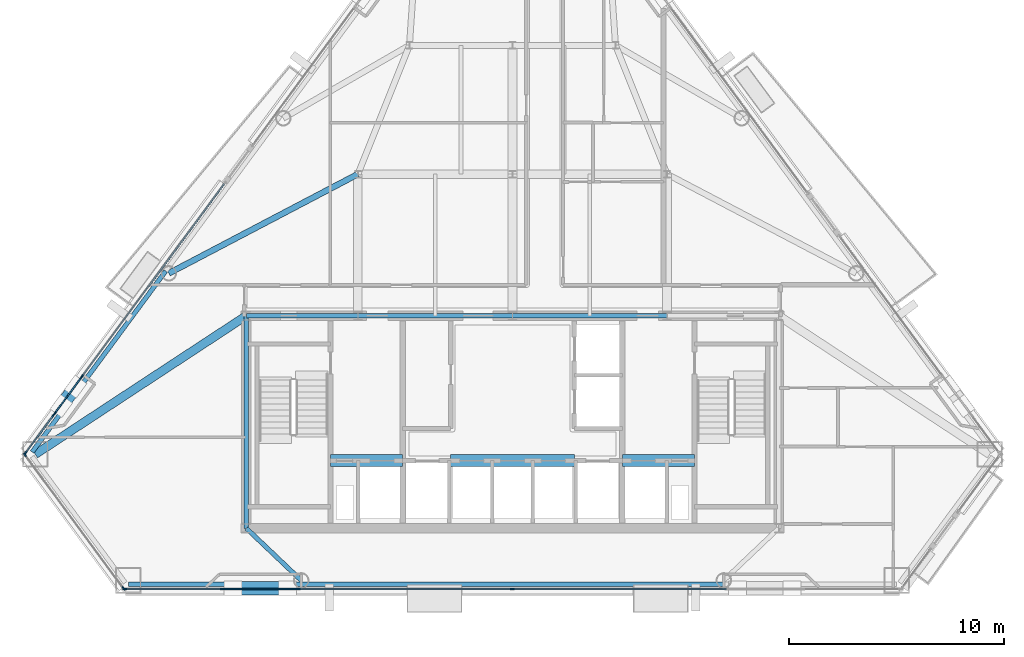
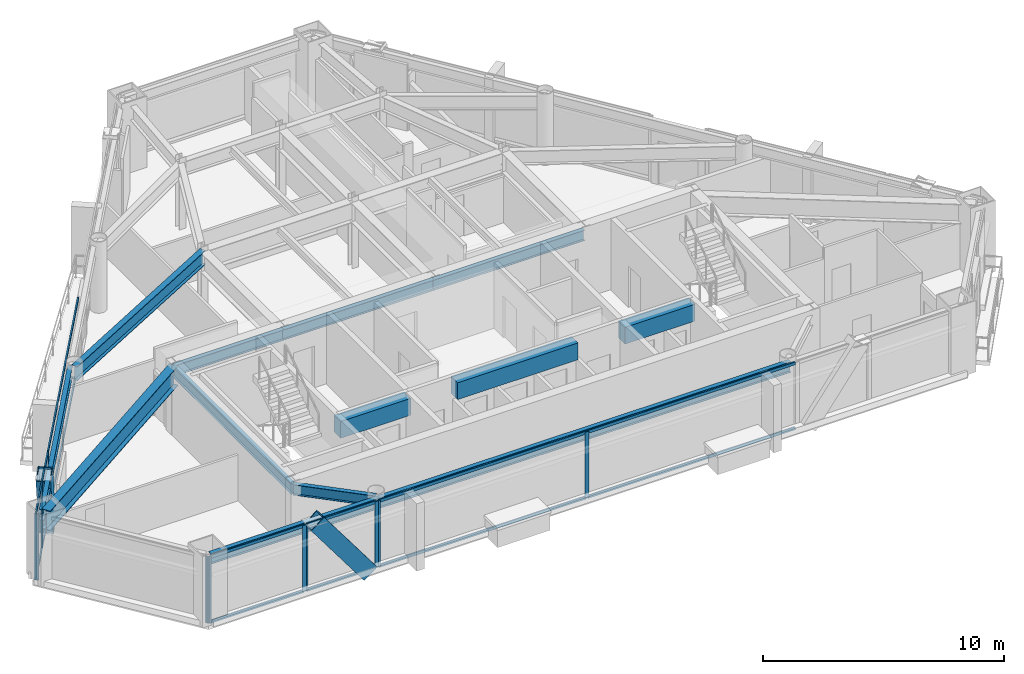
# One storey, part 3 of 11: 29 members, 13 beams, 7 elements without a shape of their own.
"""IFC4 building model written with IfcOpenShell, lengths in metres."""

from ifc_helpers import new_model, si_unit, direction, frame, origin, origin_2d, place, context, subcontext, project, spatial, rectangle, hollow_rectangle, i_section, extrude, material, layer, layer_set, material_profile, profile_set, type_object, element, aggregate, save


model = new_model("IFC4")

# Units and contexts
model_context = context("Model", 3, precision=1e-05, world=origin(), true_north=direction((0.0, 1.0)))
body_context = subcontext(model_context, "Body", "Model", "MODEL_VIEW")
ifc_project = project(units=[si_unit("LENGTHUNIT", "METRE"), si_unit("AREAUNIT", "SQUARE_METRE"), si_unit("VOLUMEUNIT", "CUBIC_METRE"), si_unit("PLANEANGLEUNIT", "RADIAN"), si_unit("MASSUNIT", "GRAM", prefix="KILO")], contexts=[model_context])

# Site, building, storey
site_placement = place(None, origin())
site = spatial("IfcSite", under=ifc_project, at=site_placement, CompositionType="ELEMENT")
building_placement = place(site_placement, origin())
building = spatial("IfcBuilding", under=site, at=building_placement, Name="Talgorran Terracotta Tower", CompositionType="ELEMENT")
storey_placement = place(building_placement, frame((0.0, 0.0, 161.699951171875)))
storey = spatial("IfcBuildingStorey", under=building, at=storey_placement, Name="L42", CompositionType="ELEMENT", Elevation=161.699951171875)

# Beams
ifc_material_1 = material(Name="Steel Grade 350 (350L0)", Category="steel")
ifc_material_profile_1 = material_profile(ifc_material_1, i_section(OverallWidth=0.39990234375, OverallDepth=1.0, WebThickness=0.01611328125, FlangeThickness=0.031005859375, at=origin_2d()), Name="1000WB296")
ifc_profile_set_1 = profile_set([ifc_material_profile_1], Name="Steel Grade 350 (350L0)")
beam_type_1 = type_object("IfcBeamType", Name="BM_1000WB296", PredefinedType="BEAM", material=ifc_profile_set_1)
beam_1_placement = place(storey_placement, frame((-12.39990234375, -4.199951171875, 2.85009765625), z_axis=(-0.836013696093, -0.548708574696, 0.0), x_axis=(0.548708574696, -0.836013696093, 0.0)))
element("IfcBeam", 1, at=beam_1_placement, inside=storey, type_object=beam_type_1, Name="L42 Floor Girder G17", PredefinedType="BEAM", context=body_context, shape_type="SweptSolid", body=[
    extrude(i_section(OverallWidth=0.39990234375, OverallDepth=1.0, WebThickness=0.01611328125, FlangeThickness=0.031005859375, at=origin_2d()), origin(), (0.0, 0.0, 1.0), 11.76318359375),
])
ifc_material_2 = material(Name="Steel S355 (300PLUS)", Category="steel")
ifc_material_profile_2 = material_profile(ifc_material_2, i_section(OverallWidth=0.27490234375, OverallDepth=0.7080078125, WebThickness=0.011962890625, FlangeThickness=0.02490234375, at=origin_2d()), Name="700WB173")
ifc_profile_set_2 = profile_set([ifc_material_profile_2], Name="Steel S355 (300PLUS)")
beam_type_2 = type_object("IfcBeamType", Name="BM_700WB173", PredefinedType="BEAM", material=ifc_profile_set_2)
beam_2_placement = place(storey_placement, frame((-7.199951171875, 2.39990234375, 2.99609375), z_axis=(-0.885527866822, -0.464586264414, 0.0), x_axis=(0.464586264414, -0.885527866822, 0.0)))
element("IfcBeam", 2, at=beam_2_placement, inside=storey, type_object=beam_type_2, Name="L42 Floor Girder G06", PredefinedType="BEAM", context=body_context, shape_type="SweptSolid", body=[
    extrude(i_section(OverallWidth=0.27490234375, OverallDepth=0.7080078125, WebThickness=0.011962890625, FlangeThickness=0.02490234375, at=origin_2d()), origin(), (0.0, 0.0, 1.0), 9.951416015625),
])
ifc_material_3 = material(Name="Concrete C50/60", Category="concrete")
ifc_material_profile_3 = material_profile(ifc_material_3, rectangle(XDim=0.550048828125, YDim=0.85009765625, at=origin_2d()), Name="RCCB550X850")
ifc_profile_set_3 = profile_set([ifc_material_profile_3], Name="Concrete C50/60")
beam_type_3 = type_object("IfcBeamType", Name="BM_CB_550X850", PredefinedType="LINTEL", material=ifc_profile_set_3)
beam_3_placement = place(storey_placement, frame((-8.47998046875, -10.949951171875, 2.925048828125), z_axis=(1.0, 0.0, 0.0), x_axis=(0.0, 1.0, 0.0)))
element("IfcBeam", 3, at=beam_3_placement, inside=storey, type_object=beam_type_3, Name="L42 Core Shear-Wall Coupling Beam CB1", PredefinedType="LINTEL", context=body_context, shape_type="SweptSolid", body=[
    extrude(rectangle(XDim=0.550048828125, YDim=0.85009765625, at=origin_2d()), origin(), (0.0, 0.0, 1.0), 3.35986328125),
])
beam_4_placement = place(storey_placement, frame((-2.8798828125, -10.949951171875, 2.925048828125), z_axis=(1.0, 0.0, 0.0), x_axis=(0.0, 1.0, 0.0)))
element("IfcBeam", 4, at=beam_4_placement, inside=storey, type_object=beam_type_3, Name="L42 Core Shear-Wall Coupling Beam CB2", PredefinedType="LINTEL", context=body_context, shape_type="SweptSolid", body=[
    extrude(rectangle(XDim=0.550048828125, YDim=0.85009765625, at=origin_2d()), origin(), (0.0, 0.0, 1.0), 5.759765625),
])
beam_5_placement = place(storey_placement, frame((5.1201171875, -10.949951171875, 2.925048828125), z_axis=(1.0, 0.0, 0.0), x_axis=(0.0, 1.0, 0.0)))
element("IfcBeam", 5, at=beam_5_placement, inside=storey, type_object=beam_type_3, Name="L42 Core Shear-Wall Coupling Beam CB3", PredefinedType="LINTEL", context=body_context, shape_type="SweptSolid", body=[
    extrude(rectangle(XDim=0.550048828125, YDim=0.85009765625, at=origin_2d()), origin(), (0.0, 0.0, 1.0), 3.35986328125),
])
ifc_material_profile_4 = material_profile(ifc_material_2, i_section(OverallWidth=0.209228515625, OverallDepth=0.532958984375, WebThickness=0.01025390625, FlangeThickness=0.015625, at=origin_2d()), Name="530UB92.4")
ifc_profile_set_4 = profile_set([ifc_material_profile_4], Name="Steel S355 (300PLUS)")
beam_type_4 = type_object("IfcBeamType", Name="BM_SP_530UB92", PredefinedType="SPANDREL", material=ifc_profile_set_4)
beam_6_placement = place(storey_placement, frame((-17.898193359375, -16.7099609375, 3.08349609375), z_axis=(1.0, 0.0, 0.0), x_axis=(0.0, 1.0, 0.0)))
element("IfcBeam", 6, at=beam_6_placement, inside=storey, type_object=beam_type_4, Name="L42 Perimeter Spandrel Beam MC2-FC1", PredefinedType="SPANDREL", context=body_context, shape_type="SweptSolid", body=[
    extrude(i_section(OverallWidth=0.209228515625, OverallDepth=0.532958984375, WebThickness=0.01025390625, FlangeThickness=0.015625, at=origin_2d()), origin(), (0.0, 0.0, 1.0), 8.05419921875),
])
beam_7_placement = place(storey_placement, frame((-9.843994140625, -16.7099609375, 3.08349609375), z_axis=(1.0, 0.0, 0.0), x_axis=(0.0, 1.0, 0.0)))
element("IfcBeam", 7, at=beam_7_placement, inside=storey, type_object=beam_type_4, Name="L42 Perimeter Spandrel Beam FC1-FC2", PredefinedType="SPANDREL", context=body_context, shape_type="SweptSolid", body=[
    extrude(i_section(OverallWidth=0.209228515625, OverallDepth=0.532958984375, WebThickness=0.01025390625, FlangeThickness=0.015625, at=origin_2d()), origin(), (0.0, 0.0, 1.0), 19.68798828125),
])
beam_8_placement = place(storey_placement, frame((-16.156982421875, -2.116455078125, 3.08349609375), z_axis=(-0.593786218479, -0.804622847516, 0.0), x_axis=(0.804622847516, -0.593786218479, 0.0)))
element("IfcBeam", 8, at=beam_8_placement, inside=storey, type_object=beam_type_4, Name="L42 Perimeter Spandrel Beam FC6-MC1", PredefinedType="SPANDREL", context=body_context, shape_type="SweptSolid", body=[
    extrude(i_section(OverallWidth=0.209228515625, OverallDepth=0.532958984375, WebThickness=0.01025390625, FlangeThickness=0.015625, at=origin_2d()), origin(), (0.0, 0.0, 1.0), 10.478271484375),
])
beam_9_placement = place(storey_placement, frame((-9.843994140625, -16.530029296875, 3.08349609375), z_axis=(-0.724741849636, 0.689020501426, 0.0), x_axis=(-0.689020501426, -0.724741849636, 0.0)))
element("IfcBeam", 9, at=beam_9_placement, inside=storey, type_object=beam_type_4, Name="L42 South-West Core Tie Beam", PredefinedType="SPANDREL", context=body_context, shape_type="SweptSolid", body=[
    extrude(i_section(OverallWidth=0.209228515625, OverallDepth=0.532958984375, WebThickness=0.01025390625, FlangeThickness=0.015625, at=origin_2d()), origin(), (0.0, 0.0, 1.0), 3.526611328125),
])
beam_10_placement = place(storey_placement, frame((-12.39990234375, -14.10009765625, 3.08349609375), z_axis=(0.0, 1.0, 0.0), x_axis=(-1.0, 0.0, 0.0)))
element("IfcBeam", 10, at=beam_10_placement, inside=storey, type_object=beam_type_4, Name="L42 Core Frame Beam CFW", PredefinedType="SPANDREL", context=body_context, shape_type="SweptSolid", body=[
    extrude(i_section(OverallWidth=0.209228515625, OverallDepth=0.532958984375, WebThickness=0.01025390625, FlangeThickness=0.015625, at=origin_2d()), origin(), (0.0, 0.0, 1.0), 9.900146484375),
])
beam_11_placement = place(storey_placement, frame((-12.39990234375, -4.199951171875, 3.08349609375), z_axis=(1.0, 0.0, 0.0), x_axis=(0.0, 1.0, 0.0)))
element("IfcBeam", 11, at=beam_11_placement, inside=storey, type_object=beam_type_4, Name="L42 Core Frame Beam CFN1", PredefinedType="SPANDREL", context=body_context, shape_type="SweptSolid", body=[
    extrude(i_section(OverallWidth=0.209228515625, OverallDepth=0.532958984375, WebThickness=0.01025390625, FlangeThickness=0.015625, at=origin_2d()), origin(), (0.0, 0.0, 1.0), 5.199951171875),
])
for number, where, z_axis, x_axis, name in (
    (12, (-7.199951171875, -4.199951171875, 3.08349609375), (1.0, 0.0, 0.0), (0.0, 1.0, 0.0), "L42 Core Frame Beam CFN2"),
    (13, (0.0, -4.199951171875, 3.08349609375), (1.0, 0.0, 0.0), (0.0, 1.0, 0.0), "L42 Core Frame Beam CFN3"),
):
    element("IfcBeam", number, at=place(storey_placement, frame(where, z_axis=z_axis, x_axis=x_axis)), inside=storey, type_object=beam_type_4, Name=name, PredefinedType="SPANDREL", context=body_context, shape_type="SweptSolid", body=[
        extrude(i_section(OverallWidth=0.209228515625, OverallDepth=0.532958984375, WebThickness=0.01025390625, FlangeThickness=0.015625, at=origin_2d()), origin(), (0.0, 0.0, 1.0), 7.199951171875),
    ])

# Members
ifc_material_profile_5 = material_profile(ifc_material_1, hollow_rectangle(XDim=0.6201171875, YDim=0.780029296875, WallThickness=0.0419921875, at=origin_2d()), Name="WBOX780X620X42")
ifc_profile_set_5 = profile_set([ifc_material_profile_5], Name="Steel Grade 350 (350L0)")
member_type_1 = type_object("IfcMemberType", Name="MB_MEGA_780", PredefinedType="BRACE", material=ifc_profile_set_5)
member_1_placement = place(storey_placement, frame((-10.486328125, -16.889892578125, -0.02490234375), z_axis=(-0.597176273235, 0.0, 0.802110029039), x_axis=(0.0, -1.0, 0.0)))
element("IfcMember", 14, at=member_1_placement, inside=storey, type_object=member_type_1, Name="L42 Exterior Face Mega-Brace MB-2 (SWF)", PredefinedType="BRACE", context=body_context, shape_type="SweptSolid", body=[
    extrude(hollow_rectangle(XDim=0.6201171875, YDim=0.780029296875, WallThickness=0.0419921875, at=origin_2d()), origin(), (0.0, 0.0, 1.0), 4.23876953125),
])
member_2_placement = place(storey_placement, frame((-20.35400390625, -7.500732421875, -0.02490234375), z_axis=(-0.186398629724, -0.252599459812, 0.949446714534), x_axis=(0.80464078172, -0.59376191558, 0.0)))
element("IfcMember", 15, at=member_2_placement, inside=storey, type_object=member_type_1, Name="L42 Exterior Face Mega-Brace MB-2 (NWL)", PredefinedType="BRACE", context=body_context, shape_type="SweptSolid", body=[
    extrude(hollow_rectangle(XDim=0.6201171875, YDim=0.780029296875, WallThickness=0.0419921875, at=origin_2d()), origin(), (0.0, 0.0, 1.0), 3.580810546875),
])

# Curtain wall, members
ifc_material_4 = material(Name="Unitised Low-E Double Glazing", Category="glass")
ifc_layer = layer(ifc_material_4, 0.199951171875, Name="CW_SYS2_RES_LOW")
ifc_layer_set = layer_set([ifc_layer], Name="Unitised Low-E Double Glazing")
curtain_wall_type = type_object("IfcCurtainWallType", Name="CW_SYS2_RES_LOW", PredefinedType="NOTDEFINED", material=ifc_layer_set)
curtain_wall_1_placement = place(storey_placement, origin())
curtain_wall_1 = element("IfcCurtainWall", 16, at=curtain_wall_1_placement, inside=storey, type_object=curtain_wall_type, Name="CW-L42-F0", PredefinedType="NOTDEFINED")
ifc_material_5 = material(Name="Architectural Aluminium 6063-T6", Category="aluminium")
ifc_material_profile_6 = material_profile(ifc_material_5, rectangle(XDim=0.06494140625, YDim=0.18505859375, at=origin_2d()), Name="CWM65X185")
ifc_profile_set_6 = profile_set([ifc_material_profile_6], Name="Architectural Aluminium 6063-T6")
member_type_2 = type_object("IfcMemberType", Name="MUL_65X185", PredefinedType="MULLION", material=ifc_profile_set_6)
member_3_placement = place(storey_placement, frame((-22.7119140625, -10.6806640625, 0.0), z_axis=(0.0, 0.0, 1.0), x_axis=(0.804619586401, 0.593790637498, 0.0)))
member_3 = element("IfcMember", 17, at=member_3_placement, type_object=member_type_2, Name="CW-L42-0 mullion 1", PredefinedType="MULLION", context=body_context, shape_type="SweptSolid", body=[
    extrude(rectangle(XDim=0.06494140625, YDim=0.18505859375, at=origin_2d()), origin(), (0.0, 0.0, 1.0), 3.35009765625),
])
member_4_placement = place(storey_placement, frame((-18.119384765625, -16.90380859375, 0.0), z_axis=(0.0, 0.0, 1.0), x_axis=(0.804619586401, 0.593790637498, 0.0)))
member_4 = element("IfcMember", 18, at=member_4_placement, type_object=member_type_2, Name="CW-L42-0 mullion 2", PredefinedType="MULLION", context=body_context, shape_type="SweptSolid", body=[
    extrude(rectangle(XDim=0.06494140625, YDim=0.18505859375, at=origin_2d()), origin(), (0.0, 0.0, 1.0), 3.35009765625),
])
aggregate(curtain_wall_1, [member_3, member_4])

curtain_wall_2_placement = place(storey_placement, origin())
curtain_wall_2 = element("IfcCurtainWall", 19, at=curtain_wall_2_placement, inside=storey, type_object=curtain_wall_type, Name="CW-L42-F1", PredefinedType="NOTDEFINED")
member_5_placement = place(storey_placement, frame((-18.067626953125, -16.929931640625, 0.0), z_axis=(0.0, 0.0, 1.0), x_axis=(0.0, 1.0, 0.0)))
member_5 = element("IfcMember", 20, at=member_5_placement, type_object=member_type_2, Name="CW-L42-1 mullion 1", PredefinedType="MULLION", context=body_context, shape_type="SweptSolid", body=[
    extrude(rectangle(XDim=0.06494140625, YDim=0.18505859375, at=origin_2d()), origin(), (0.0, 0.0, 1.0), 3.35009765625),
])
member_6_placement = place(storey_placement, frame((-13.517822265625, -16.929931640625, 0.0), z_axis=(0.0, 0.0, 1.0), x_axis=(0.0, 1.0, 0.0)))
member_6 = element("IfcMember", 21, at=member_6_placement, type_object=member_type_2, Name="CW-L42-1 mullion 2", PredefinedType="MULLION", context=body_context, shape_type="SweptSolid", body=[
    extrude(rectangle(XDim=0.06494140625, YDim=0.18505859375, at=origin_2d()), origin(), (0.0, 0.0, 1.0), 3.35009765625),
])

curtain_wall_3_placement = place(storey_placement, origin())
curtain_wall_3 = element("IfcCurtainWall", 22, at=curtain_wall_3_placement, inside=storey, type_object=curtain_wall_type, Name="CW-L42-F1B", PredefinedType="NOTDEFINED")
member_7_placement = place(storey_placement, frame((-13.44287109375, -16.929931640625, 0.0), z_axis=(0.0, 0.0, 1.0), x_axis=(0.0, 1.0, 0.0)))
member_7 = element("IfcMember", 23, at=member_7_placement, type_object=member_type_2, Name="CW-L42-1B mullion 1", PredefinedType="MULLION", context=body_context, shape_type="SweptSolid", body=[
    extrude(rectangle(XDim=0.06494140625, YDim=0.18505859375, at=origin_2d()), origin(), (0.0, 0.0, 1.0), 3.35009765625),
])
member_8_placement = place(storey_placement, frame((-10.06103515625, -16.929931640625, 0.0), z_axis=(0.0, 0.0, 1.0), x_axis=(0.0, 1.0, 0.0)))
member_8 = element("IfcMember", 24, at=member_8_placement, type_object=member_type_2, Name="CW-L42-1B mullion 2", PredefinedType="MULLION", context=body_context, shape_type="SweptSolid", body=[
    extrude(rectangle(XDim=0.06494140625, YDim=0.18505859375, at=origin_2d()), origin(), (0.0, 0.0, 1.0), 3.35009765625),
])

curtain_wall_4_placement = place(storey_placement, origin())
curtain_wall_4 = element("IfcCurtainWall", 25, at=curtain_wall_4_placement, inside=storey, type_object=curtain_wall_type, Name="CW-L42-F1C", PredefinedType="NOTDEFINED")
member_9_placement = place(storey_placement, frame((-9.986083984375, -16.929931640625, 0.0), z_axis=(0.0, 0.0, 1.0), x_axis=(0.0, 1.0, 0.0)))
member_9 = element("IfcMember", 26, at=member_9_placement, type_object=member_type_2, Name="CW-L42-1C mullion 1", PredefinedType="MULLION", context=body_context, shape_type="SweptSolid", body=[
    extrude(rectangle(XDim=0.06494140625, YDim=0.18505859375, at=origin_2d()), origin(), (0.0, 0.0, 1.0), 3.35009765625),
])
member_10_placement = place(storey_placement, frame((0.0, -16.929931640625, 0.0), z_axis=(0.0, 0.0, 1.0), x_axis=(0.0, 1.0, 0.0)))
member_10 = element("IfcMember", 27, at=member_10_placement, type_object=member_type_2, Name="CW-L42-1C mullion 2", PredefinedType="MULLION", context=body_context, shape_type="SweptSolid", body=[
    extrude(rectangle(XDim=0.06494140625, YDim=0.18505859375, at=origin_2d()), origin(), (0.0, 0.0, 1.0), 3.35009765625),
])

# Curtain wall, member
curtain_wall_5_placement = place(storey_placement, origin())
curtain_wall_5 = element("IfcCurtainWall", 28, at=curtain_wall_5_placement, inside=storey, type_object=curtain_wall_type, Name="CW-L42-F61", PredefinedType="NOTDEFINED")
member_11_placement = place(storey_placement, frame((-20.054931640625, -7.028076171875, 0.0), z_axis=(0.0, 0.0, 1.0), x_axis=(0.804624819522, -0.59378354626, 0.0)))
member_11 = element("IfcMember", 29, at=member_11_placement, type_object=member_type_2, Name="CW-L42-61 mullion 2", PredefinedType="MULLION", context=body_context, shape_type="SweptSolid", body=[
    extrude(rectangle(XDim=0.06494140625, YDim=0.18505859375, at=origin_2d()), origin(), (0.0, 0.0, 1.0), 3.35009765625),
])

# Curtain wall, members
curtain_wall_6_placement = place(storey_placement, origin())
curtain_wall_6 = element("IfcCurtainWall", 30, at=curtain_wall_6_placement, inside=storey, type_object=curtain_wall_type, Name="CW-L42-F61B", PredefinedType="NOTDEFINED")
member_12_placement = place(storey_placement, frame((-20.099609375, -7.08837890625, 0.0), z_axis=(0.0, 0.0, 1.0), x_axis=(0.804620536141, -0.593789350545, 0.0)))
member_12 = element("IfcMember", 31, at=member_12_placement, type_object=member_type_2, Name="CW-L42-61B mullion 1", PredefinedType="MULLION", context=body_context, shape_type="SweptSolid", body=[
    extrude(rectangle(XDim=0.06494140625, YDim=0.18505859375, at=origin_2d()), origin(), (0.0, 0.0, 1.0), 3.35009765625),
])
member_13_placement = place(storey_placement, frame((-21.340576171875, -8.77001953125, 0.0), z_axis=(0.0, 0.0, 1.0), x_axis=(0.804620536141, -0.593789350545, 0.0)))
member_13 = element("IfcMember", 32, at=member_13_placement, type_object=member_type_2, Name="CW-L42-61B mullion 2", PredefinedType="MULLION", context=body_context, shape_type="SweptSolid", body=[
    extrude(rectangle(XDim=0.06494140625, YDim=0.18505859375, at=origin_2d()), origin(), (0.0, 0.0, 1.0), 3.35009765625),
])

curtain_wall_7_placement = place(storey_placement, origin())
curtain_wall_7 = element("IfcCurtainWall", 33, at=curtain_wall_7_placement, inside=storey, type_object=curtain_wall_type, Name="CW-L42-F61C", PredefinedType="NOTDEFINED")
member_14_placement = place(storey_placement, frame((-21.385009765625, -8.830322265625, 0.0), z_axis=(0.0, 0.0, 1.0), x_axis=(0.804617372813, -0.593793637022, 0.0)))
member_14 = element("IfcMember", 34, at=member_14_placement, type_object=member_type_2, Name="CW-L42-61C mullion 1", PredefinedType="MULLION", context=body_context, shape_type="SweptSolid", body=[
    extrude(rectangle(XDim=0.06494140625, YDim=0.18505859375, at=origin_2d()), origin(), (0.0, 0.0, 1.0), 3.35009765625),
])
member_15_placement = place(storey_placement, frame((-22.688232421875, -10.59619140625, 0.0), z_axis=(0.0, 0.0, 1.0), x_axis=(0.804617372813, -0.593793637022, 0.0)))
member_15 = element("IfcMember", 35, at=member_15_placement, type_object=member_type_2, Name="CW-L42-61C mullion 2", PredefinedType="MULLION", context=body_context, shape_type="SweptSolid", body=[
    extrude(rectangle(XDim=0.06494140625, YDim=0.18505859375, at=origin_2d()), origin(), (0.0, 0.0, 1.0), 3.35009765625),
])

# Member
ifc_material_profile_7 = material_profile(ifc_material_5, rectangle(XDim=0.06494140625, YDim=0.14990234375, at=origin_2d()), Name="CWT65X150")
ifc_profile_set_7 = profile_set([ifc_material_profile_7], Name="Architectural Aluminium 6063-T6")
member_type_3 = type_object("IfcMemberType", Name="TRN_65X150", PredefinedType="USERDEFINED", material=ifc_profile_set_7)
member_16_placement = place(storey_placement, frame((-18.03515625, -16.929931640625, 0.032470703125), z_axis=(1.0, 0.0, 0.0), x_axis=(0.0, 1.0, 0.0)))
member_16 = element("IfcMember", 36, at=member_16_placement, type_object=member_type_3, Name="CW-L42-1 transom 1.1", ObjectType="TRANSOM", PredefinedType="USERDEFINED", context=body_context, shape_type="SweptSolid", body=[
    extrude(rectangle(XDim=0.06494140625, YDim=0.14990234375, at=origin_2d()), origin(), (0.0, 0.0, 1.0), 4.48486328125),
])

member_17_placement = place(storey_placement, frame((-18.03515625, -16.929931640625, 3.317626953125), z_axis=(1.0, 0.0, 0.0), x_axis=(0.0, 1.0, 0.0)))
member_17 = element("IfcMember", 37, at=member_17_placement, type_object=member_type_3, Name="CW-L42-1 transom 1.2", ObjectType="TRANSOM", PredefinedType="USERDEFINED", context=body_context, shape_type="SweptSolid", body=[
    extrude(rectangle(XDim=0.06494140625, YDim=0.14990234375, at=origin_2d()), origin(), (0.0, 0.0, 1.0), 4.48486328125),
])

aggregate(curtain_wall_2, [member_5, member_6, member_16, member_17])

member_18_placement = place(storey_placement, frame((-13.410400390625, -16.929931640625, 0.032470703125), z_axis=(1.0, 0.0, 0.0), x_axis=(0.0, 1.0, 0.0)))
member_18 = element("IfcMember", 38, at=member_18_placement, type_object=member_type_3, Name="CW-L42-1B transom 1.1", ObjectType="TRANSOM", PredefinedType="USERDEFINED", context=body_context, shape_type="SweptSolid", body=[
    extrude(rectangle(XDim=0.06494140625, YDim=0.14990234375, at=origin_2d()), origin(), (0.0, 0.0, 1.0), 3.31689453125),
])

member_19_placement = place(storey_placement, frame((-13.410400390625, -16.929931640625, 3.317626953125), z_axis=(1.0, 0.0, 0.0), x_axis=(0.0, 1.0, 0.0)))
member_19 = element("IfcMember", 39, at=member_19_placement, type_object=member_type_3, Name="CW-L42-1B transom 1.2", ObjectType="TRANSOM", PredefinedType="USERDEFINED", context=body_context, shape_type="SweptSolid", body=[
    extrude(rectangle(XDim=0.06494140625, YDim=0.14990234375, at=origin_2d()), origin(), (0.0, 0.0, 1.0), 3.31689453125),
])

aggregate(curtain_wall_3, [member_7, member_8, member_18, member_19])

member_20_placement = place(storey_placement, frame((-9.95361328125, -16.929931640625, 0.032470703125), z_axis=(1.0, 0.0, 0.0), x_axis=(0.0, 1.0, 0.0)))
member_20 = element("IfcMember", 40, at=member_20_placement, type_object=member_type_3, Name="CW-L42-1C transom 1.1", ObjectType="TRANSOM", PredefinedType="USERDEFINED", context=body_context, shape_type="SweptSolid", body=[
    extrude(rectangle(XDim=0.06494140625, YDim=0.14990234375, at=origin_2d()), origin(), (0.0, 0.0, 1.0), 9.921142578125),
])

member_21_placement = place(storey_placement, frame((-9.95361328125, -16.929931640625, 3.317626953125), z_axis=(1.0, 0.0, 0.0), x_axis=(0.0, 1.0, 0.0)))
member_21 = element("IfcMember", 41, at=member_21_placement, type_object=member_type_3, Name="CW-L42-1C transom 1.2", ObjectType="TRANSOM", PredefinedType="USERDEFINED", context=body_context, shape_type="SweptSolid", body=[
    extrude(rectangle(XDim=0.06494140625, YDim=0.14990234375, at=origin_2d()), origin(), (0.0, 0.0, 1.0), 9.921142578125),
])

member_22_placement = place(storey_placement, frame((0.032470703125, -16.929931640625, 0.032470703125), z_axis=(1.0, 0.0, 0.0), x_axis=(0.0, 1.0, 0.0)))
member_22 = element("IfcMember", 42, at=member_22_placement, type_object=member_type_3, Name="CW-L42-1C transom 2.1", ObjectType="TRANSOM", PredefinedType="USERDEFINED", context=body_context, shape_type="SweptSolid", body=[
    extrude(rectangle(XDim=0.06494140625, YDim=0.14990234375, at=origin_2d()), origin(), (0.0, 0.0, 1.0), 9.921142578125),
])

member_23_placement = place(storey_placement, frame((0.032470703125, -16.929931640625, 3.317626953125), z_axis=(1.0, 0.0, 0.0), x_axis=(0.0, 1.0, 0.0)))
member_23 = element("IfcMember", 43, at=member_23_placement, type_object=member_type_3, Name="CW-L42-1C transom 2.2", ObjectType="TRANSOM", PredefinedType="USERDEFINED", context=body_context, shape_type="SweptSolid", body=[
    extrude(rectangle(XDim=0.06494140625, YDim=0.14990234375, at=origin_2d()), origin(), (0.0, 0.0, 1.0), 9.921142578125),
])

aggregate(curtain_wall_4, [member_9, member_10, member_20, member_21, member_22, member_23])

member_24_placement = place(storey_placement, frame((-13.43017578125, 1.948974609375, 0.032470703125), z_axis=(-0.593784304885, -0.804624259684, 0.0), x_axis=(0.804624259684, -0.593784304885, 0.0)))
member_24 = element("IfcMember", 44, at=member_24_placement, type_object=member_type_3, Name="CW-L42-61 transom 1.1", ObjectType="TRANSOM", PredefinedType="USERDEFINED", context=body_context, shape_type="SweptSolid", body=[
    extrude(rectangle(XDim=0.06494140625, YDim=0.14990234375, at=origin_2d()), origin(), (0.0, 0.0, 1.0), 11.124267578125),
])

member_25_placement = place(storey_placement, frame((-13.43017578125, 1.948974609375, 3.317626953125), z_axis=(-0.593784304885, -0.804624259684, 0.0), x_axis=(0.804624259684, -0.593784304885, 0.0)))
member_25 = element("IfcMember", 45, at=member_25_placement, type_object=member_type_3, Name="CW-L42-61 transom 1.2", ObjectType="TRANSOM", PredefinedType="USERDEFINED", context=body_context, shape_type="SweptSolid", body=[
    extrude(rectangle(XDim=0.06494140625, YDim=0.14990234375, at=origin_2d()), origin(), (0.0, 0.0, 1.0), 11.124267578125),
])

aggregate(curtain_wall_5, [member_11, member_24, member_25])

member_26_placement = place(storey_placement, frame((-20.118896484375, -7.114501953125, 0.032470703125), z_axis=(-0.593770532456, -0.804634423068, 0.0), x_axis=(0.804634423068, -0.593770532456, 0.0)))
member_26 = element("IfcMember", 46, at=member_26_placement, type_object=member_type_3, Name="CW-L42-61B transom 1.1", ObjectType="TRANSOM", PredefinedType="USERDEFINED", context=body_context, shape_type="SweptSolid", body=[
    extrude(rectangle(XDim=0.06494140625, YDim=0.14990234375, at=origin_2d()), origin(), (0.0, 0.0, 1.0), 2.02490234375),
])

member_27_placement = place(storey_placement, frame((-20.118896484375, -7.114501953125, 3.317626953125), z_axis=(-0.593770532456, -0.804634423068, 0.0), x_axis=(0.804634423068, -0.593770532456, 0.0)))
member_27 = element("IfcMember", 47, at=member_27_placement, type_object=member_type_3, Name="CW-L42-61B transom 1.2", ObjectType="TRANSOM", PredefinedType="USERDEFINED", context=body_context, shape_type="SweptSolid", body=[
    extrude(rectangle(XDim=0.06494140625, YDim=0.14990234375, at=origin_2d()), origin(), (0.0, 0.0, 1.0), 2.02490234375),
])

aggregate(curtain_wall_6, [member_12, member_13, member_26, member_27])

member_28_placement = place(storey_placement, frame((-21.404296875, -8.8564453125, 0.032470703125), z_axis=(-0.593801057654, -0.804611896462, 0.0), x_axis=(0.804611896462, -0.593801057654, 0.0)))
member_28 = element("IfcMember", 48, at=member_28_placement, type_object=member_type_3, Name="CW-L42-61C transom 1.1", ObjectType="TRANSOM", PredefinedType="USERDEFINED", context=body_context, shape_type="SweptSolid", body=[
    extrude(rectangle(XDim=0.06494140625, YDim=0.14990234375, at=origin_2d()), origin(), (0.0, 0.0, 1.0), 2.129638671875),
])

member_29_placement = place(storey_placement, frame((-21.404296875, -8.8564453125, 3.317626953125), z_axis=(-0.593801057654, -0.804611896462, 0.0), x_axis=(0.804611896462, -0.593801057654, 0.0)))
member_29 = element("IfcMember", 49, at=member_29_placement, type_object=member_type_3, Name="CW-L42-61C transom 1.2", ObjectType="TRANSOM", PredefinedType="USERDEFINED", context=body_context, shape_type="SweptSolid", body=[
    extrude(rectangle(XDim=0.06494140625, YDim=0.14990234375, at=origin_2d()), origin(), (0.0, 0.0, 1.0), 2.129638671875),
])

aggregate(curtain_wall_7, [member_14, member_15, member_28, member_29])

save(model, "model.ifc")
